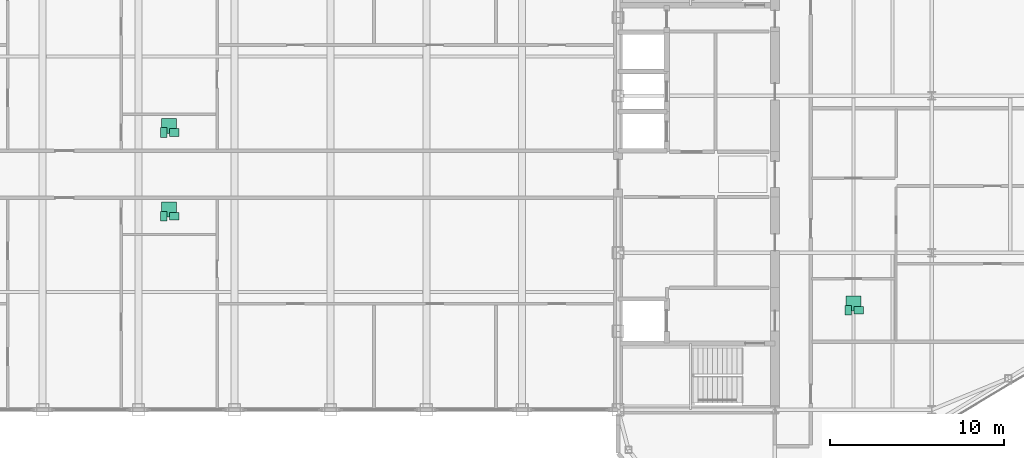
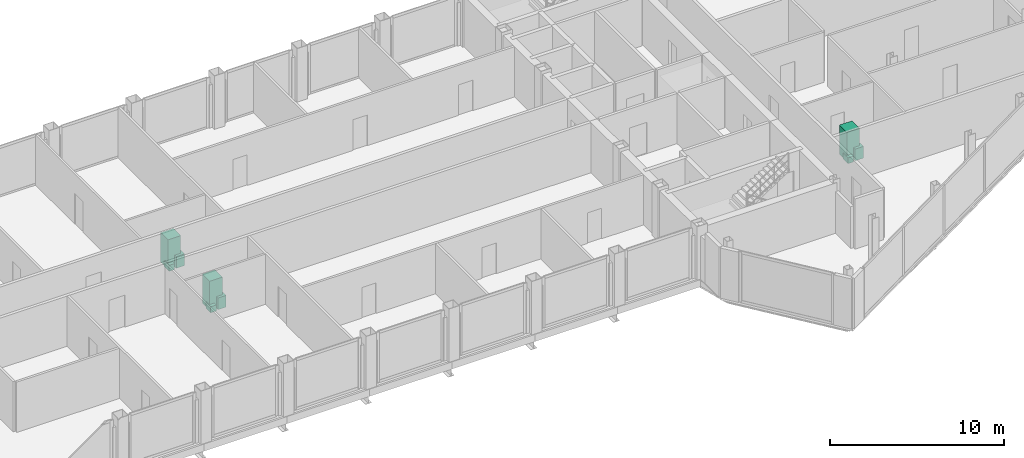
# One storey, part 28 of 28: 9 sanitary terminals.
"""IFC4 building model written with IfcOpenShell, lengths in metres."""

from ifc_helpers import new_model, si_unit, direction, frame, origin, origin_2d, place, context, subcontext, project, spatial, rectangle, extrude, source, transform, mapped, material, type_object, type_shapes, element, save


model = new_model("IFC4")

# Units and contexts
model_context = context("Model", 3, precision=1e-05, world=origin(), true_north=direction((0.0, 1.0)))
body_context = subcontext(model_context, "Body", "Model", "MODEL_VIEW")
ifc_project = project(units=[si_unit("LENGTHUNIT", "METRE"), si_unit("AREAUNIT", "SQUARE_METRE"), si_unit("VOLUMEUNIT", "CUBIC_METRE"), si_unit("PLANEANGLEUNIT", "RADIAN"), si_unit("MASSUNIT", "GRAM", prefix="KILO")], contexts=[model_context])

# Site, building, storey
site_placement = place(None, origin())
site = spatial("IfcSite", under=ifc_project, at=site_placement, CompositionType="ELEMENT")
building_placement = place(site_placement, origin())
building = spatial("IfcBuilding", under=site, at=building_placement, Name="Seokmaru Belvedere", CompositionType="ELEMENT")
storey_placement = place(building_placement, frame((0.0, 0.0, 261.89990234375)))
storey = spatial("IfcBuildingStorey", under=building, at=storey_placement, Name="L69", CompositionType="ELEMENT", Elevation=261.89990234375)

# Sanitary terminals
ifc_material_1 = material(Name="Vitreous China Sanitaryware")
sanitary_terminal_type_1 = type_object("IfcSanitaryTerminalType", Name="Wall-Hung Vitreous China WC Pan", PredefinedType="TOILETPAN", material=ifc_material_1)
shared_shape_1 = source(origin(), body_context, "Body", "SweptSolid", [
    extrude(rectangle(XDim=0.3798828125, YDim=0.56005859375, at=origin_2d()), origin(), (0.0, 0.0, 1.0), 0.419921875),
])
type_shapes(sanitary_terminal_type_1, [shared_shape_1])
for number, where, z_axis, x_axis, name in (
    (1, (40.699951171875, -7.7919921875, 0.000244140625), (0.0, 0.0, 1.0), (1.0, 0.0, 0.0), "L69 Vitreous China WC 0304"),
    (2, (1.449951171875, -2.39990234375, 0.000244140625), (0.0, 0.0, 1.0), (1.0, 0.0, 0.0), "L69 Vitreous China WC 0305"),
    (3, (1.449951171875, 2.39990234375, 0.000244140625), (0.0, 0.0, 1.0), (1.0, 0.0, 0.0), "L69 Vitreous China WC 0306"),
):
    element("IfcSanitaryTerminal", number, at=place(storey_placement, frame(where, z_axis=z_axis, x_axis=x_axis)), inside=storey, type_object=sanitary_terminal_type_1, Name=name, PredefinedType="TOILETPAN", context=body_context, shape_type="MappedRepresentation", body=[
        mapped(shared_shape_1, transform((0.0, 0.0, 0.0), scale=1.0)),
    ])
sanitary_terminal_type_2 = type_object("IfcSanitaryTerminalType", Name="Countertop Ceramic Washhand Basin", PredefinedType="WASHHANDBASIN", material=ifc_material_1)
shared_shape_2 = source(origin(), body_context, "Body", "SweptSolid", [
    extrude(rectangle(XDim=0.550048828125, YDim=0.449951171875, at=origin_2d()), origin(), (0.0, 0.0, 1.0), 0.820068359375),
])
type_shapes(sanitary_terminal_type_2, [shared_shape_2])
for number, where, z_axis, x_axis, name in (
    (4, (41.300048828125, -7.7919921875, 0.0), (0.0, 0.0, 1.0), (1.0, 0.0, 0.0), "L69 Ceramic Washhand Basin 0304"),
    (5, (2.050048828125, -2.39990234375, 0.0), (0.0, 0.0, 1.0), (1.0, 0.0, 0.0), "L69 Ceramic Washhand Basin 0305"),
    (6, (2.050048828125, 2.39990234375, 0.0), (0.0, 0.0, 1.0), (1.0, 0.0, 0.0), "L69 Ceramic Washhand Basin 0306"),
):
    element("IfcSanitaryTerminal", number, at=place(storey_placement, frame(where, z_axis=z_axis, x_axis=x_axis)), inside=storey, type_object=sanitary_terminal_type_2, Name=name, PredefinedType="WASHHANDBASIN", context=body_context, shape_type="MappedRepresentation", body=[
        mapped(shared_shape_2, transform((0.0, 0.0, 0.0), scale=1.0)),
    ])
ifc_material_2 = material(Name="Stainless Steel 316", Category="steel")
sanitary_terminal_type_3 = type_object("IfcSanitaryTerminalType", Name="Walk-In Thermostatic Rain Shower Enclosure", PredefinedType="SHOWER", material=ifc_material_2)
shared_shape_3 = source(origin(), body_context, "Body", "SweptSolid", [
    extrude(rectangle(XDim=0.85009765625, YDim=0.85009765625, at=origin_2d()), origin(), (0.0, 0.0, 1.0), 2.050048828125),
])
type_shapes(sanitary_terminal_type_3, [shared_shape_3])
for number, where, z_axis, x_axis, name in (
    (7, (41.0, -7.412109375, 0.0), (0.0, 0.0, 1.0), (1.0, 0.0, 0.0), "L69 Walk-In Shower 0304"),
    (8, (1.75, -2.02001953125, 0.0), (0.0, 0.0, 1.0), (1.0, 0.0, 0.0), "L69 Walk-In Shower 0305"),
    (9, (1.75, 2.780029296875, 0.0), (0.0, 0.0, 1.0), (1.0, 0.0, 0.0), "L69 Walk-In Shower 0306"),
):
    element("IfcSanitaryTerminal", number, at=place(storey_placement, frame(where, z_axis=z_axis, x_axis=x_axis)), inside=storey, type_object=sanitary_terminal_type_3, Name=name, PredefinedType="SHOWER", context=body_context, shape_type="MappedRepresentation", body=[
        mapped(shared_shape_3, transform((0.0, 0.0, 0.0), scale=1.0)),
    ])

save(model, "model.ifc")
